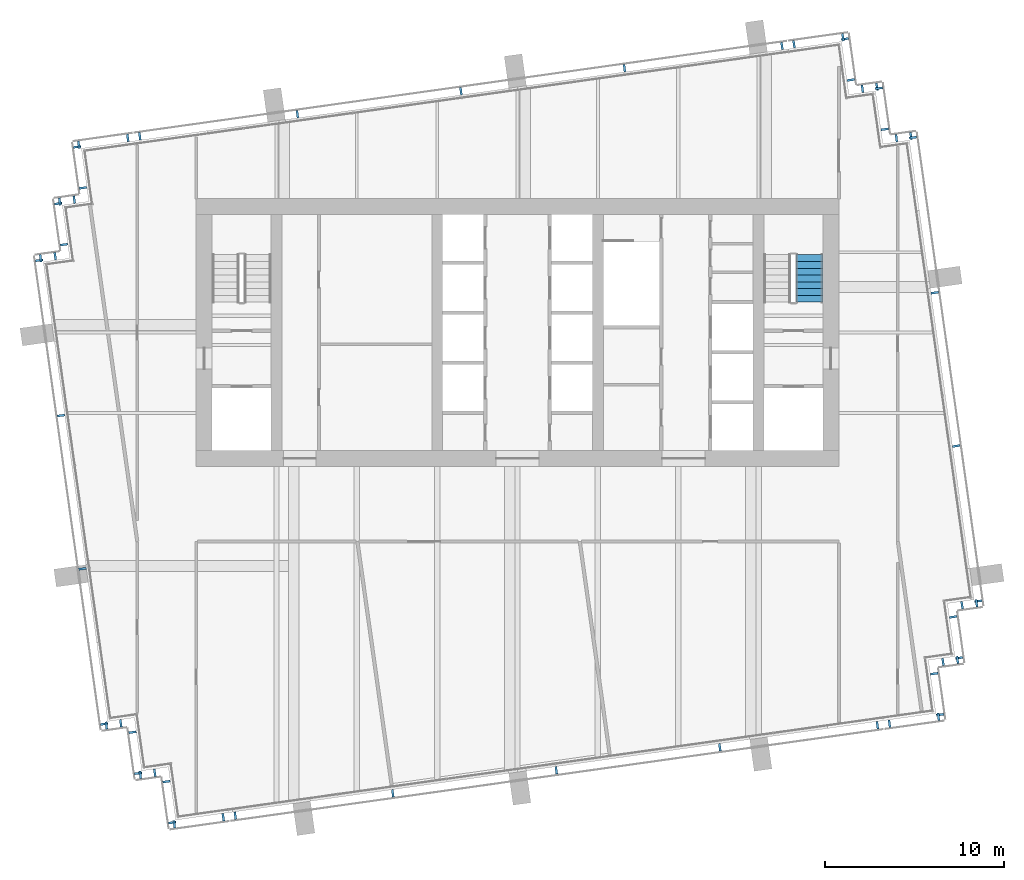
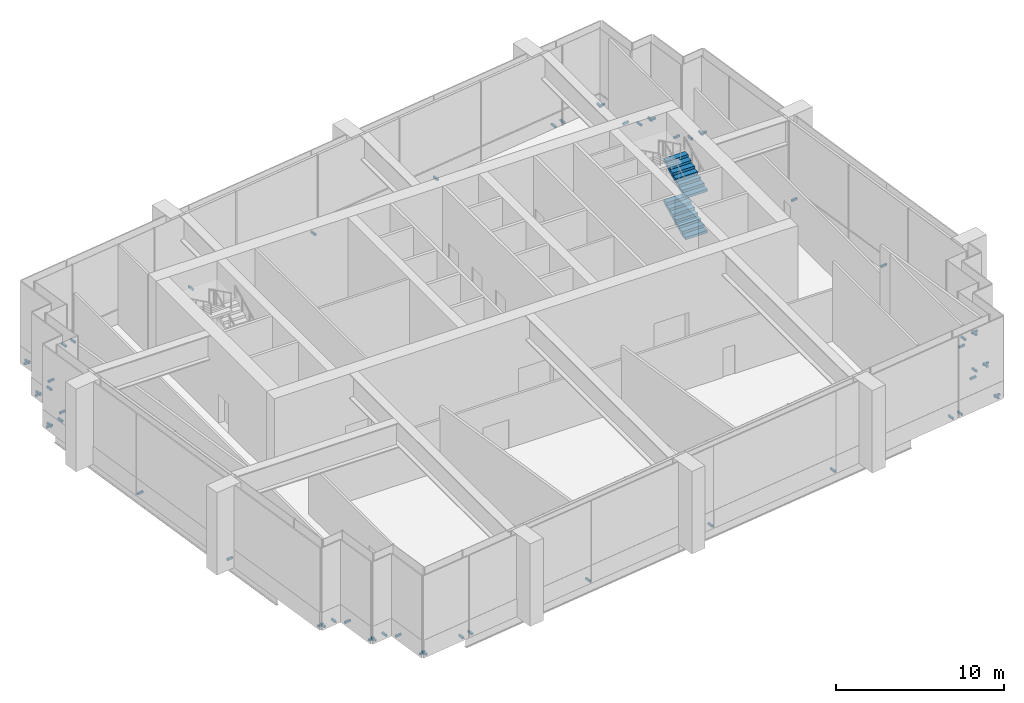
# One storey, part 21 of 25: 58 discrete accessories, 2 stair flights, 1 element without a shape of its own.
"""IFC4 building model written with IfcOpenShell, lengths in metres."""

from ifc_helpers import new_model, si_unit, direction, frame, origin, origin_2d, place, context, subcontext, project, spatial, polyline, rectangle, outline, extrude, material, type_object, element, aggregate, save


model = new_model("IFC4")

# Units and contexts
model_context = context("Model", 3, precision=1e-05, world=origin(), true_north=direction((0.0, 1.0)))
body_context = subcontext(model_context, "Body", "Model", "MODEL_VIEW")
ifc_project = project(units=[si_unit("LENGTHUNIT", "METRE"), si_unit("AREAUNIT", "SQUARE_METRE"), si_unit("VOLUMEUNIT", "CUBIC_METRE"), si_unit("PLANEANGLEUNIT", "RADIAN"), si_unit("MASSUNIT", "GRAM", prefix="KILO")], contexts=[model_context])

# Site, building, storey
site_placement = place(None, origin())
site = spatial("IfcSite", under=ifc_project, at=site_placement, CompositionType="ELEMENT")
building_placement = place(site_placement, origin())
building = spatial("IfcBuilding", under=site, at=building_placement, Name="Rattan Terrace Tower", CompositionType="ELEMENT")
storey_placement = place(building_placement, frame((0.0, 0.0, 286.300048828125)))
storey = spatial("IfcBuildingStorey", under=building, at=storey_placement, Name="L66", CompositionType="ELEMENT", Elevation=286.300048828125)

# Stair, stair flights
ifc_material_1 = material(Name="Concrete C40/50", Category="concrete")
stair_type = type_object("IfcStairType", Name="Core exit stair 1500", PredefinedType="HALF_TURN_STAIR", material=ifc_material_1)
stair_placement = place(storey_placement, origin())
stair = element("IfcStair", 1, at=stair_placement, inside=storey, type_object=stair_type, Name="L66 exit stair 2", PredefinedType="HALF_TURN_STAIR")
ifc_material_2 = material(Name="Concrete C40/50", Category="concrete")
stair_flight_type = type_object("IfcStairFlightType", Name="Core exit stair flight 1500", PredefinedType="STRAIGHT", material=ifc_material_2)
stair_flight_1_placement = place(storey_placement, frame((16.35009765625, 1.699951171875, 0.0), z_axis=(0.0, 0.0, 1.0), x_axis=(0.0, 1.0, 0.0)))
stair_flight_1 = element("IfcStairFlight", 2, at=stair_flight_1_placement, type_object=stair_flight_type, Name="S2 flight 1", NumberOfRisers=8, NumberOfTreads=7, PredefinedType="STRAIGHT", RiserHeight=0.1875, TreadLength=0.38, context=body_context, shape_type="SweptSolid", body=[
    extrude(outline(polyline([(0.0, 0.0), (0.0, 0.1875), (0.3798828125, 0.1875), (0.3798828125, 0.375), (0.760009765625, 0.375), (0.760009765625, 0.5625), (1.139892578125, 0.5625), (1.139892578125, 0.75), (1.52001953125, 0.75), (1.52001953125, 0.9375), (1.89990234375, 0.9375), (1.89990234375, 1.125), (2.280029296875, 1.125), (2.280029296875, 1.3125), (2.659912109375, 1.3125), (2.659912109375, 1.5), (2.659912109375, 1.145263671875), (0.3388671875, 0.0), (0.0, 0.0)])), frame((0.0, 0.75, 0.0), z_axis=(0.0, -1.0, 0.0), x_axis=(1.0, 0.0, 0.0)), (0.0, 0.0, 1.0), 1.5),
])
stair_flight_2_placement = place(storey_placement, frame((16.35009765625, 1.699951171875, 3.0), z_axis=(0.0, 0.0, 1.0), x_axis=(0.0, 1.0, 0.0)))
stair_flight_2 = element("IfcStairFlight", 3, at=stair_flight_2_placement, type_object=stair_flight_type, Name="S2 flight 3", NumberOfRisers=8, NumberOfTreads=7, PredefinedType="STRAIGHT", RiserHeight=0.1875, TreadLength=0.38, context=body_context, shape_type="SweptSolid", body=[
    extrude(outline(polyline([(0.0, 0.0), (0.0, 0.1875), (0.3798828125, 0.1875), (0.3798828125, 0.375), (0.760009765625, 0.375), (0.760009765625, 0.5625), (1.139892578125, 0.5625), (1.139892578125, 0.75), (1.52001953125, 0.75), (1.52001953125, 0.9375), (1.89990234375, 0.9375), (1.89990234375, 1.125), (2.280029296875, 1.125), (2.280029296875, 1.3125), (2.659912109375, 1.3125), (2.659912109375, 1.5), (2.659912109375, 1.145263671875), (0.3388671875, 0.0), (0.0, 0.0)])), frame((0.0, 0.75, 0.0), z_axis=(0.0, -1.0, 0.0), x_axis=(1.0, 0.0, 0.0)), (0.0, 0.0, 1.0), 1.5),
])
aggregate(stair, [stair_flight_1, stair_flight_2])

# Discrete accessories
for number, where, z_axis, x_axis, name in (
    (4, (20.829833984375, -21.900634765625, -0.169921875), (0.0, 0.0, 1.0), (0.990293172258, 0.138994363123, 0.0), "Panel bracket L66-1"),
    (5, (23.5732421875, -21.515625, -0.169921875), (0.0, 0.0, 1.0), (0.990293172258, 0.138994363123, 0.0), "Panel bracket L66-2"),
    (6, (23.658203125, -21.40283203125, -0.169921875), (0.0, 0.0, 1.0), (-0.138994363123, 0.990293172258, 0.0), "Panel bracket L66-3"),
    (7, (23.335693359375, -19.10498046875, -0.169921875), (0.0, 0.0, 1.0), (-0.138994363123, 0.990293172258, 0.0), "Panel bracket L66-4"),
    (8, (23.829345703125, -18.449951171875, -0.169921875), (0.0, 0.0, 1.0), (0.990240767803, 0.139367219175, 0.0), "Panel bracket L66-5"),
    (9, (24.64111328125, -18.335693359375, -0.169921875), (0.0, 0.0, 1.0), (0.990240767803, 0.139367219175, 0.0), "Panel bracket L66-6"),
    (10, (24.726318359375, -18.22265625, -0.169921875), (0.0, 0.0, 1.0), (-0.139367219175, 0.990240767803, 0.0), "Panel bracket L66-7"),
    (11, (24.403076171875, -15.926025390625, -0.169921875), (0.0, 0.0, 1.0), (-0.139367219175, 0.990240767803, 0.0), "Panel bracket L66-8"),
    (12, (24.896484375, -15.27099609375, -0.169921875), (0.0, 0.0, 1.0), (0.99025370695, 0.139275252184, 0.0), "Panel bracket L66-9"),
    (13, (25.708984375, -15.15673828125, -0.169921875), (0.0, 0.0, 1.0), (0.99025370695, 0.139275252184, 0.0), "Panel bracket L66-10"),
    (14, (25.794189453125, -15.043701171875, -0.169921875), (0.0, 0.0, 1.0), (-0.139191775431, 0.990265444036, 0.0), "Panel bracket L66-11"),
    (15, (24.572509765625, -6.35205078125, -0.169921875), (0.0, 0.0, 1.0), (-0.139191775431, 0.990265444036, 0.0), "Panel bracket L66-12"),
    (16, (23.3662109375, 2.23046875, -0.169921875), (0.0, 0.0, 1.0), (-0.139191775431, 0.990265444036, 0.0), "Panel bracket L66-13"),
    (17, (22.14453125, 10.921142578125, -0.169921875), (0.0, 0.0, 1.0), (-0.139191775431, 0.990265444036, 0.0), "Panel bracket L66-14"),
    (18, (22.03173828125, 11.00634765625, -0.169921875), (0.0, 0.0, 1.0), (-0.990240767803, -0.139367219175, 0.0), "Panel bracket L66-15"),
    (19, (21.219970703125, 10.89208984375, -0.169921875), (0.0, 0.0, 1.0), (-0.990240767803, -0.139367219175, 0.0), "Panel bracket L66-16"),
    (20, (20.56494140625, 11.385498046875, -0.169921875), (0.0, 0.0, 1.0), (-0.139321220646, 0.990247240581, 0.0), "Panel bracket L66-17"),
    (21, (20.24169921875, 13.682861328125, -0.169921875), (0.0, 0.0, 1.0), (-0.139321220646, 0.990247240581, 0.0), "Panel bracket L66-18"),
    (22, (20.12841796875, 13.768310546875, -0.169921875), (0.0, 0.0, 1.0), (-0.990332587523, -0.138713251317, 0.0), "Panel bracket L66-19"),
    (23, (19.31689453125, 13.654541015625, -0.169921875), (0.0, 0.0, 1.0), (-0.990332587523, -0.138713251317, 0.0), "Panel bracket L66-20"),
    (24, (18.661865234375, 14.148193359375, -0.169921875), (0.0, 0.0, 1.0), (-0.139367219175, 0.990240767803, 0.0), "Panel bracket L66-21"),
    (25, (18.338623046875, 16.445068359375, -0.169921875), (0.0, 0.0, 1.0), (-0.139367219175, 0.990240767803, 0.0), "Panel bracket L66-22"),
    (26, (18.2255859375, 16.5302734375, -0.169921875), (0.0, 0.0, 1.0), (-0.990286729519, -0.139040257974, 0.0), "Panel bracket L66-23"),
    (27, (15.4833984375, 16.145263671875, -0.169921875), (0.0, 0.0, 1.0), (-0.990286729519, -0.139040257974, 0.0), "Panel bracket L66-24"),
    (28, (14.81005859375, 16.050537109375, -0.169921875), (0.0, 0.0, 1.0), (-0.990265894013, -0.139188574079, 0.0), "Panel bracket L66-25"),
    (29, (5.98779296875, 14.810546875, -0.169921875), (0.0, 0.0, 1.0), (-0.990265894013, -0.139188574079, 0.0), "Panel bracket L66-26"),
    (30, (-3.171142578125, 13.523193359375, -0.169921875), (0.0, 0.0, 1.0), (-0.990265894013, -0.139188574079, 0.0), "Panel bracket L66-27"),
    (31, (-12.330078125, 12.23583984375, -0.169921875), (0.0, 0.0, 1.0), (-0.990265894013, -0.139188574079, 0.0), "Panel bracket L66-28"),
    (32, (-21.156494140625, 10.995361328125, -0.169921875), (0.0, 0.0, 1.0), (-0.990265894013, -0.139188574079, 0.0), "Panel bracket L66-29"),
    (33, (-21.829833984375, 10.900634765625, -0.169921875), (0.0, 0.0, 1.0), (-0.990293172258, -0.138994363123, 0.0), "Panel bracket L66-30"),
    (34, (-24.5732421875, 10.515625, -0.169921875), (0.0, 0.0, 1.0), (-0.990293172258, -0.138994363123, 0.0), "Panel bracket L66-31"),
    (35, (-24.658203125, 10.40283203125, -0.169921875), (0.0, 0.0, 1.0), (0.138994363123, -0.990293172258, 0.0), "Panel bracket L66-32"),
    (36, (-24.335693359375, 8.10498046875, -0.169921875), (0.0, 0.0, 1.0), (0.138994363123, -0.990293172258, 0.0), "Panel bracket L66-33"),
    (37, (-24.829345703125, 7.449951171875, -0.169921875), (0.0, 0.0, 1.0), (-0.990240767803, -0.139367219175, 0.0), "Panel bracket L66-34"),
    (38, (-25.64111328125, 7.335693359375, -0.169921875), (0.0, 0.0, 1.0), (-0.990240767803, -0.139367219175, 0.0), "Panel bracket L66-35"),
    (39, (-25.726318359375, 7.22265625, -0.169921875), (0.0, 0.0, 1.0), (0.139367219175, -0.990240767803, 0.0), "Panel bracket L66-36"),
    (40, (-25.403076171875, 4.926025390625, -0.169921875), (0.0, 0.0, 1.0), (0.139367219175, -0.990240767803, 0.0), "Panel bracket L66-37"),
    (41, (-25.896484375, 4.27099609375, -0.169921875), (0.0, 0.0, 1.0), (-0.99025370695, -0.139275252184, 0.0), "Panel bracket L66-38"),
    (42, (-26.708984375, 4.15673828125, -0.169921875), (0.0, 0.0, 1.0), (-0.99025370695, -0.139275252184, 0.0), "Panel bracket L66-39"),
    (43, (-26.794189453125, 4.043701171875, -0.169921875), (0.0, 0.0, 1.0), (0.139191775431, -0.990265444036, 0.0), "Panel bracket L66-40"),
    (44, (-25.572509765625, -4.64794921875, -0.169921875), (0.0, 0.0, 1.0), (0.139191775431, -0.990265444036, 0.0), "Panel bracket L66-41"),
    (45, (-24.3662109375, -13.23046875, -0.169921875), (0.0, 0.0, 1.0), (0.139191775431, -0.990265444036, 0.0), "Panel bracket L66-42"),
    (46, (-23.14453125, -21.921142578125, -0.169921875), (0.0, 0.0, 1.0), (0.139191775431, -0.990265444036, 0.0), "Panel bracket L66-43"),
    (47, (-23.03173828125, -22.00634765625, -0.169921875), (0.0, 0.0, 1.0), (0.990240767803, 0.139367219175, 0.0), "Panel bracket L66-44"),
    (48, (-22.219970703125, -21.89208984375, -0.169921875), (0.0, 0.0, 1.0), (0.990240767803, 0.139367219175, 0.0), "Panel bracket L66-45"),
    (49, (-21.56494140625, -22.385498046875, -0.169921875), (0.0, 0.0, 1.0), (0.139321220646, -0.990247240581, 0.0), "Panel bracket L66-46"),
    (50, (-21.24169921875, -24.682861328125, -0.169921875), (0.0, 0.0, 1.0), (0.139321220646, -0.990247240581, 0.0), "Panel bracket L66-47"),
    (51, (-21.12841796875, -24.768310546875, -0.169921875), (0.0, 0.0, 1.0), (0.990332587523, 0.138713251317, 0.0), "Panel bracket L66-48"),
    (52, (-20.31689453125, -24.654541015625, -0.169921875), (0.0, 0.0, 1.0), (0.990332587523, 0.138713251317, 0.0), "Panel bracket L66-49"),
    (53, (-19.661865234375, -25.148193359375, -0.169921875), (0.0, 0.0, 1.0), (0.139367219175, -0.990240767803, 0.0), "Panel bracket L66-50"),
    (54, (-19.338623046875, -27.445068359375, -0.169921875), (0.0, 0.0, 1.0), (0.139367219175, -0.990240767803, 0.0), "Panel bracket L66-51"),
    (55, (-19.2255859375, -27.5302734375, -0.169921875), (0.0, 0.0, 1.0), (0.990286729519, 0.139040257974, 0.0), "Panel bracket L66-52"),
    (56, (-16.4833984375, -27.145263671875, -0.169921875), (0.0, 0.0, 1.0), (0.990286729519, 0.139040257974, 0.0), "Panel bracket L66-53"),
    (57, (-15.81005859375, -27.050537109375, -0.169921875), (0.0, 0.0, 1.0), (0.990265894013, 0.139188574079, 0.0), "Panel bracket L66-54"),
    (58, (-6.98779296875, -25.810546875, -0.169921875), (0.0, 0.0, 1.0), (0.990265894013, 0.139188574079, 0.0), "Panel bracket L66-55"),
    (59, (2.171142578125, -24.523193359375, -0.169921875), (0.0, 0.0, 1.0), (0.990265894013, 0.139188574079, 0.0), "Panel bracket L66-56"),
    (60, (11.330078125, -23.23583984375, -0.169921875), (0.0, 0.0, 1.0), (0.990265894013, 0.139188574079, 0.0), "Panel bracket L66-57"),
    (61, (20.156494140625, -21.995361328125, -0.169921875), (0.0, 0.0, 1.0), (0.990265894013, 0.139188574079, 0.0), "Panel bracket L66-58"),
):
    element("IfcDiscreteAccessory", number, at=place(storey_placement, frame(where, z_axis=z_axis, x_axis=x_axis)), inside=storey, Name=name, PredefinedType="BRACKET", context=body_context, shape_type="SweptSolid", body=[
        extrude(rectangle(XDim=0.1201171875, YDim=0.419921875, at=origin_2d()), origin(), (0.0, 0.0, 1.0), 0.139892578125),
    ])

save(model, "model.ifc")
